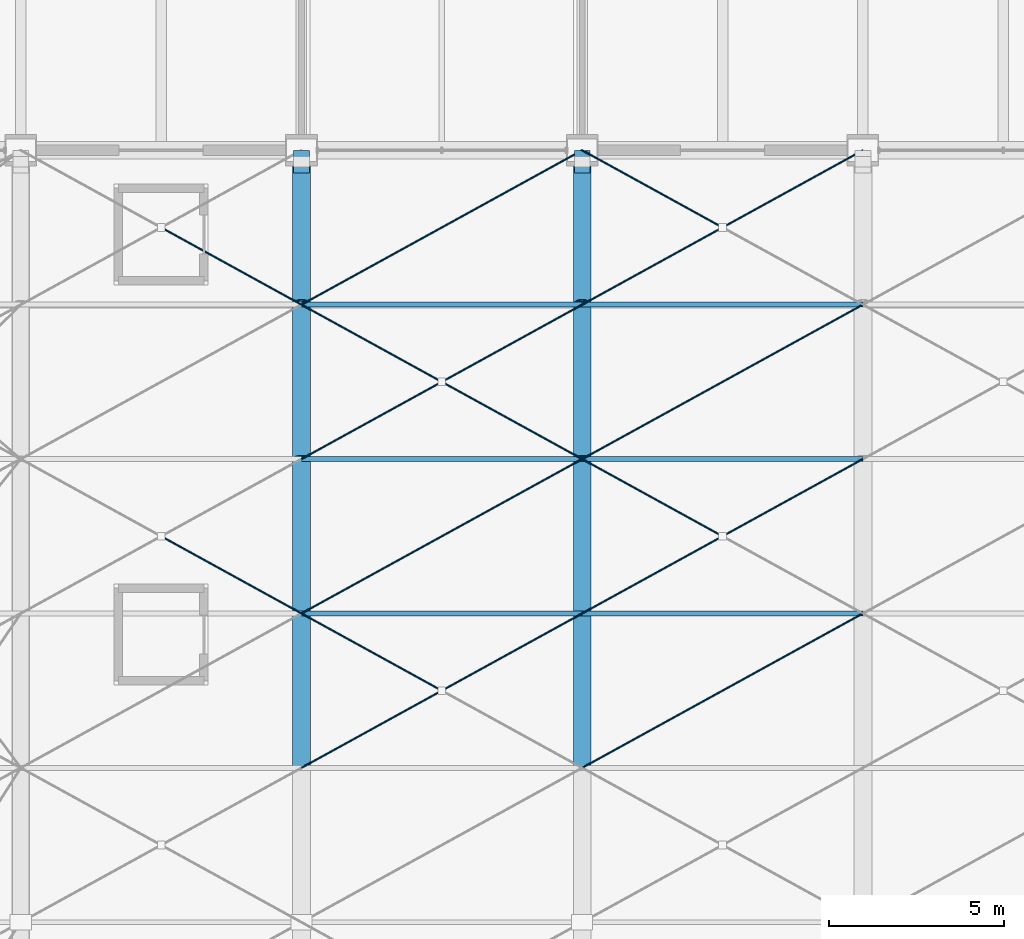
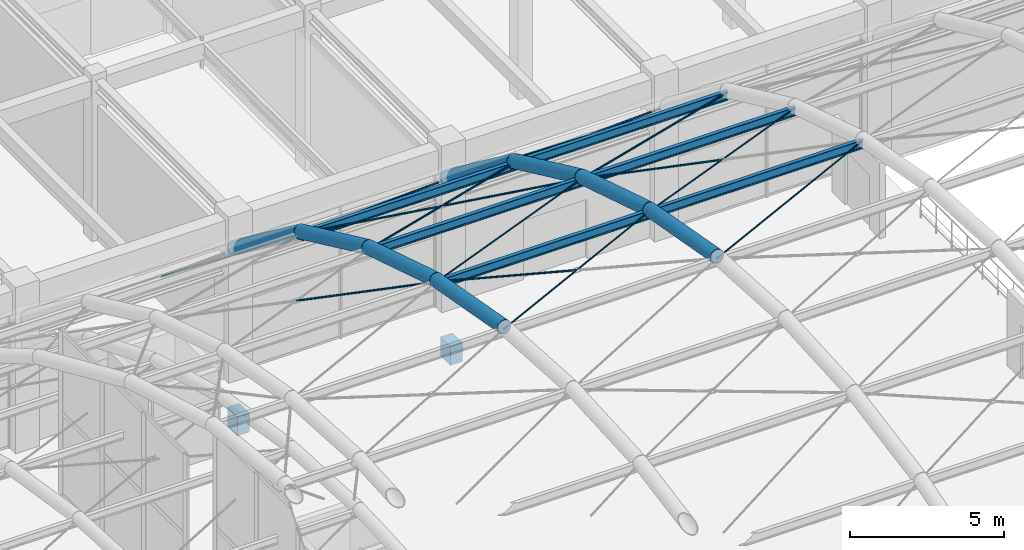
# One storey, part 78 of 163: 16 beams, 15 members.
"""IFC4 building model written with IfcOpenShell, lengths in metres."""

from ifc_helpers import new_model, si_unit, direction, frame, origin, origin_2d, place, context, subcontext, project, spatial, rectangle, circle, hollow_circle, i_section, extrude, material, material_profile, profile_set, type_object, element, save


model = new_model("IFC4")

# Units and contexts
model_context = context("Model", 3, precision=1e-05, world=origin(), true_north=direction((0.0, 1.0)))
body_context = subcontext(model_context, "Body", "Model", "MODEL_VIEW")
ifc_project = project(units=[si_unit("LENGTHUNIT", "METRE"), si_unit("AREAUNIT", "SQUARE_METRE"), si_unit("VOLUMEUNIT", "CUBIC_METRE"), si_unit("PLANEANGLEUNIT", "RADIAN"), si_unit("MASSUNIT", "GRAM", prefix="KILO")], contexts=[model_context])

# Site, building, storey
site_placement = place(None, origin())
site = spatial("IfcSite", under=ifc_project, at=site_placement, CompositionType="ELEMENT")
building_placement = place(site_placement, origin())
building = spatial("IfcBuilding", under=site, at=building_placement, Name="Varnabhumi Central Station", CompositionType="ELEMENT")
storey_placement = place(building_placement, frame((0.0, 0.0, 9.60009765625)))
storey = spatial("IfcBuildingStorey", under=building, at=storey_placement, Name="L02", CompositionType="ELEMENT", Elevation=9.60009765625)

# Beams
ifc_material_1 = material(Name="Structural steel E350", Category="steel")
ifc_material_profile_1 = material_profile(ifc_material_1, hollow_circle(Radius=0.25390625, WallThickness=0.02001953125, at=origin_2d()), Name="Structural steel E350", Category="steel")
ifc_profile_set_1 = profile_set([ifc_material_profile_1], Name="Structural steel E350")
beam_type_1 = type_object("IfcBeamType", Name="BM-ARCH-CHS508", PredefinedType="BEAM", material=ifc_profile_set_1)
beam_1_placement = place(storey_placement, frame((88.0, 62.39990234375, 12.486572265625), z_axis=(0.0, 0.983888247404, -0.17878455364), x_axis=(-1.0, 0.0, 0.0)))
element("IfcBeam", 1, at=beam_1_placement, inside=storey, type_object=beam_type_1, Name="Departure Concourse Vault Arch Rib 3 Seg 7", PredefinedType="BEAM", context=body_context, shape_type="SweptSolid", body=[
    extrude(hollow_circle(Radius=0.25390625, WallThickness=0.02001953125, at=origin_2d()), origin(), (0.0, 0.0, 1.0), 4.47216796875),
])
beam_2_placement = place(storey_placement, frame((88.0, 66.800048828125, 11.68701171875), z_axis=(0.0, 0.954719095828, -0.29750873611), x_axis=(-1.0, 0.0, 0.0)))
element("IfcBeam", 2, at=beam_2_placement, inside=storey, type_object=beam_type_1, Name="Departure Concourse Vault Arch Rib 3 Seg 8", PredefinedType="BEAM", context=body_context, shape_type="SweptSolid", body=[
    extrude(hollow_circle(Radius=0.25390625, WallThickness=0.02001953125, at=origin_2d()), origin(), (0.0, 0.0, 1.0), 4.608642578125),
])
beam_3_placement = place(storey_placement, frame((88.0, 71.199951171875, 10.31591796875), z_axis=(0.0, 0.906832494276, -0.421491194837), x_axis=(-1.0, 0.0, 0.0)))
element("IfcBeam", 3, at=beam_3_placement, inside=storey, type_object=beam_type_1, Name="Departure Concourse Vault Arch Rib 3 Seg 9", PredefinedType="BEAM", context=body_context, shape_type="SweptSolid", body=[
    extrude(hollow_circle(Radius=0.25390625, WallThickness=0.02001953125, at=origin_2d()), origin(), (0.0, 0.0, 1.0), 4.852294921875),
])
beam_4_placement = place(storey_placement, frame((88.0, 75.60009765625, 8.270751953125), z_axis=(0.0, 0.798178703242, -0.602420748058), x_axis=(-1.0, 0.0, 0.0)))
element("IfcBeam", 4, at=beam_4_placement, inside=storey, type_object=beam_type_1, Name="Departure Concourse Vault Arch Rib 3 Seg 10", PredefinedType="BEAM", context=body_context, shape_type="SweptSolid", body=[
    extrude(hollow_circle(Radius=0.25390625, WallThickness=0.02001953125, at=origin_2d()), origin(), (0.0, 0.0, 1.0), 5.512451171875),
])
beam_5_placement = place(storey_placement, frame((96.0, 62.39990234375, 12.486572265625), z_axis=(0.0, 0.983888247404, -0.17878455364), x_axis=(-1.0, 0.0, 0.0)))
element("IfcBeam", 5, at=beam_5_placement, inside=storey, type_object=beam_type_1, Name="Departure Concourse Vault Arch Rib 4 Seg 7", PredefinedType="BEAM", context=body_context, shape_type="SweptSolid", body=[
    extrude(hollow_circle(Radius=0.25390625, WallThickness=0.02001953125, at=origin_2d()), origin(), (0.0, 0.0, 1.0), 4.47216796875),
])
beam_6_placement = place(storey_placement, frame((96.0, 66.800048828125, 11.68701171875), z_axis=(0.0, 0.954719095828, -0.29750873611), x_axis=(-1.0, 0.0, 0.0)))
element("IfcBeam", 6, at=beam_6_placement, inside=storey, type_object=beam_type_1, Name="Departure Concourse Vault Arch Rib 4 Seg 8", PredefinedType="BEAM", context=body_context, shape_type="SweptSolid", body=[
    extrude(hollow_circle(Radius=0.25390625, WallThickness=0.02001953125, at=origin_2d()), origin(), (0.0, 0.0, 1.0), 4.608642578125),
])
beam_7_placement = place(storey_placement, frame((96.0, 71.199951171875, 10.31591796875), z_axis=(0.0, 0.906832494276, -0.421491194837), x_axis=(-1.0, 0.0, 0.0)))
element("IfcBeam", 7, at=beam_7_placement, inside=storey, type_object=beam_type_1, Name="Departure Concourse Vault Arch Rib 4 Seg 9", PredefinedType="BEAM", context=body_context, shape_type="SweptSolid", body=[
    extrude(hollow_circle(Radius=0.25390625, WallThickness=0.02001953125, at=origin_2d()), origin(), (0.0, 0.0, 1.0), 4.852294921875),
])
beam_8_placement = place(storey_placement, frame((96.0, 75.60009765625, 8.270751953125), z_axis=(0.0, 0.798178703242, -0.602420748058), x_axis=(-1.0, 0.0, 0.0)))
element("IfcBeam", 8, at=beam_8_placement, inside=storey, type_object=beam_type_1, Name="Departure Concourse Vault Arch Rib 4 Seg 10", PredefinedType="BEAM", context=body_context, shape_type="SweptSolid", body=[
    extrude(hollow_circle(Radius=0.25390625, WallThickness=0.02001953125, at=origin_2d()), origin(), (0.0, 0.0, 1.0), 5.512451171875),
])
ifc_material_profile_2 = material_profile(ifc_material_1, i_section(OverallWidth=0.139892578125, OverallDepth=0.35009765625, WebThickness=0.008056640625, FlangeThickness=0.01416015625, FilletRadius=0.013916015625, at=origin_2d()), Name="Structural steel E350", Category="steel")
ifc_profile_set_2 = profile_set([ifc_material_profile_2], Name="Structural steel E350")
beam_type_2 = type_object("IfcBeamType", Name="BM-PUR-ISMB350", PredefinedType="LINTEL", material=ifc_profile_set_2)
for number, where, z_axis, x_axis, name in (
    (9, (88.0, 66.800048828125, 11.511962890625), (1.0, 0.0, 0.0), (0.0, 1.0, 0.0), "Departure Concourse Vault Purlin B3-L7"),
    (10, (88.0, 71.199951171875, 10.140869140625), (1.0, 0.0, 0.0), (0.0, 1.0, 0.0), "Departure Concourse Vault Purlin B3-L8"),
    (11, (88.0, 75.60009765625, 8.095703125), (1.0, 0.0, 0.0), (0.0, 1.0, 0.0), "Departure Concourse Vault Purlin B3-L9"),
    (12, (96.0, 66.800048828125, 11.511962890625), (1.0, 0.0, 0.0), (0.0, 1.0, 0.0), "Departure Concourse Vault Purlin B4-L7"),
    (13, (96.0, 71.199951171875, 10.140869140625), (1.0, 0.0, 0.0), (0.0, 1.0, 0.0), "Departure Concourse Vault Purlin B4-L8"),
    (14, (96.0, 75.60009765625, 8.095703125), (1.0, 0.0, 0.0), (0.0, 1.0, 0.0), "Departure Concourse Vault Purlin B4-L9"),
):
    element("IfcBeam", number, at=place(storey_placement, frame(where, z_axis=z_axis, x_axis=x_axis)), inside=storey, type_object=beam_type_2, Name=name, PredefinedType="LINTEL", context=body_context, shape_type="SweptSolid", body=[
        extrude(i_section(OverallWidth=0.139892578125, OverallDepth=0.35009765625, WebThickness=0.008056640625, FlangeThickness=0.01416015625, FilletRadius=0.013916015625, at=origin_2d()), origin(), (0.0, 0.0, 1.0), 8.0),
    ])
ifc_material_2 = material(Name="Concrete M40", Category="concrete")
ifc_material_profile_3 = material_profile(ifc_material_2, rectangle(XDim=0.449951171875, YDim=0.75, at=origin_2d()), Name="Concrete M40", Category="concrete")
ifc_profile_set_3 = profile_set([ifc_material_profile_3], Name="Concrete M40")
beam_type_3 = type_object("IfcBeamType", Name="BM-RC-450x750", PredefinedType="BEAM", material=ifc_profile_set_3)
for number, where, z_axis, x_axis, name in (
    (15, (88.0, 80.0, -1.675048828125), (0.0, -1.0, 0.0), (1.0, 0.0, 0.0), "Concourse Bridge 650mm Corbel Seat 88-N"),
    (16, (96.0, 80.0, -1.675048828125), (0.0, -1.0, 0.0), (1.0, 0.0, 0.0), "Concourse Bridge 650mm Corbel Seat 96-N"),
):
    element("IfcBeam", number, at=place(storey_placement, frame(where, z_axis=z_axis, x_axis=x_axis)), inside=storey, type_object=beam_type_3, Name=name, PredefinedType="BEAM", context=body_context, shape_type="SweptSolid", body=[
        extrude(rectangle(XDim=0.449951171875, YDim=0.75, at=origin_2d()), origin(), (0.0, 0.0, 1.0), 0.64990234375),
    ])

# Members
ifc_material_3 = material(Name="Spiral-strand steel S1570", Category="steel")
ifc_material_profile_4 = material_profile(ifc_material_3, circle(Radius=0.027099609375, at=origin_2d()), Name="Spiral-strand steel S1570", Category="steel")
ifc_profile_set_4 = profile_set([ifc_material_profile_4], Name="Spiral-strand steel S1570")
member_type = type_object("IfcMemberType", Name="MBR-CABLE-D54", PredefinedType="USERDEFINED", material=ifc_profile_set_4)
member_1_placement = place(storey_placement, frame((84.0, 69.0, 10.92138671875), z_axis=(0.866504286303, -0.476566780022, 0.148507326412), x_axis=(0.481910537812, 0.876220425204, 0.0)))
element("IfcMember", 17, at=member_1_placement, inside=storey, type_object=member_type, Name="Departure Concourse Vault Cable-Net Split Tie B2-P8B2", ObjectType="TENSION CABLE", PredefinedType="USERDEFINED", context=body_context, shape_type="SweptSolid", body=[
    extrude(circle(Radius=0.027099609375, at=origin_2d()), origin(), (0.0, 0.0, 1.0), 4.6162109375),
])
member_2_placement = place(storey_placement, frame((84.0, 77.800048828125, 6.5302734375), z_axis=(0.823430141181, -0.452876526012, 0.341856190205), x_axis=(0.481910537812, 0.876220425204, 0.0)))
element("IfcMember", 18, at=member_2_placement, inside=storey, type_object=member_type, Name="Departure Concourse Vault Cable-Net Split Tie B2-P10B2", ObjectType="TENSION CABLE", PredefinedType="USERDEFINED", context=body_context, shape_type="SweptSolid", body=[
    extrude(circle(Radius=0.027099609375, at=origin_2d()), origin(), (0.0, 0.0, 1.0), 4.857666015625),
])
member_3_placement = place(storey_placement, frame((88.0, 62.39990234375, 12.406494140625), z_axis=(0.872868515511, 0.480093666231, -0.087238903451), x_axis=(-0.481931067474, 0.876209133828, 0.0)))
element("IfcMember", 19, at=member_3_placement, inside=storey, type_object=member_type, Name="Departure Concourse Vault Cable-Net Tie B3-P7A", ObjectType="TENSION CABLE", PredefinedType="USERDEFINED", context=body_context, shape_type="SweptSolid", body=[
    extrude(circle(Radius=0.027099609375, at=origin_2d()), origin(), (0.0, 0.0, 1.0), 9.165283203125),
])
member_4_placement = place(storey_placement, frame((88.0, 66.800048828125, 11.60693359375), z_axis=(0.872877649429, -0.480072051941, 0.087266454453), x_axis=(0.481910537812, 0.876220425204, 0.0)))
element("IfcMember", 20, at=member_4_placement, inside=storey, type_object=member_type, Name="Departure Concourse Vault Cable-Net Split Tie B3-P7B1", ObjectType="TENSION CABLE", PredefinedType="USERDEFINED", context=body_context, shape_type="SweptSolid", body=[
    extrude(circle(Radius=0.027099609375, at=origin_2d()), origin(), (0.0, 0.0, 1.0), 4.58251953125),
])
member_5_placement = place(storey_placement, frame((88.0, 66.800048828125, 11.60693359375), z_axis=(0.866504286303, 0.476566780022, -0.148507326412), x_axis=(-0.481910537812, 0.876220425204, 0.0)))
element("IfcMember", 21, at=member_5_placement, inside=storey, type_object=member_type, Name="Departure Concourse Vault Cable-Net Tie B3-P8A", ObjectType="TENSION CABLE", PredefinedType="USERDEFINED", context=body_context, shape_type="SweptSolid", body=[
    extrude(circle(Radius=0.027099609375, at=origin_2d()), origin(), (0.0, 0.0, 1.0), 9.232421875),
])
member_6_placement = place(storey_placement, frame((88.0, 71.199951171875, 10.23583984375), z_axis=(0.855025934416, 0.470279919921, -0.218557654623), x_axis=(-0.481931067474, 0.876209133828, 0.0)))
element("IfcMember", 22, at=member_6_placement, inside=storey, type_object=member_type, Name="Departure Concourse Vault Cable-Net Tie B3-P9A", ObjectType="TENSION CABLE", PredefinedType="USERDEFINED", context=body_context, shape_type="SweptSolid", body=[
    extrude(circle(Radius=0.027099609375, at=origin_2d()), origin(), (0.0, 0.0, 1.0), 9.3564453125),
])
for number, where, z_axis, x_axis, name in (
    (23, (88.0, 75.60009765625, 8.19091796875), (0.855015442154, -0.470300241986, 0.218554972641), (0.481951596342, 0.876197842262, 0.0), "Departure Concourse Vault Cable-Net Split Tie B3-P9B1"),
    (24, (92.0, 73.39990234375, 9.21337890625), (0.855036426483, -0.470259597109, 0.218560336554), (0.481910537812, 0.876220425204, 0.0), "Departure Concourse Vault Cable-Net Split Tie B3-P9B2"),
):
    element("IfcMember", number, at=place(storey_placement, frame(where, z_axis=z_axis, x_axis=x_axis)), inside=storey, type_object=member_type, Name=name, ObjectType="TENSION CABLE", PredefinedType="USERDEFINED", context=body_context, shape_type="SweptSolid", body=[
        extrude(circle(Radius=0.027099609375, at=origin_2d()), origin(), (0.0, 0.0, 1.0), 4.67822265625),
    ])
member_7_placement = place(storey_placement, frame((88.0, 75.60009765625, 8.19091796875), z_axis=(0.823437214719, 0.452880416372, -0.341833997553), x_axis=(-0.481910537812, 0.876220425204, 0.0)))
element("IfcMember", 25, at=member_7_placement, inside=storey, type_object=member_type, Name="Departure Concourse Vault Cable-Net Tie B3-P10A", ObjectType="TENSION CABLE", PredefinedType="USERDEFINED", context=body_context, shape_type="SweptSolid", body=[
    extrude(circle(Radius=0.027099609375, at=origin_2d()), origin(), (0.0, 0.0, 1.0), 9.71533203125),
])
member_8_placement = place(storey_placement, frame((96.0, 62.39990234375, 12.406494140625), z_axis=(0.872868515511, 0.480093666231, -0.087238903451), x_axis=(-0.481931067474, 0.876209133828, 0.0)))
element("IfcMember", 26, at=member_8_placement, inside=storey, type_object=member_type, Name="Departure Concourse Vault Cable-Net Tie B4-P7A", ObjectType="TENSION CABLE", PredefinedType="USERDEFINED", context=body_context, shape_type="SweptSolid", body=[
    extrude(circle(Radius=0.027099609375, at=origin_2d()), origin(), (0.0, 0.0, 1.0), 9.165283203125),
])
member_9_placement = place(storey_placement, frame((96.0, 66.800048828125, 11.60693359375), z_axis=(0.866504286303, 0.476566780022, -0.148507326412), x_axis=(-0.481910537812, 0.876220425204, 0.0)))
element("IfcMember", 27, at=member_9_placement, inside=storey, type_object=member_type, Name="Departure Concourse Vault Cable-Net Tie B4-P8A", ObjectType="TENSION CABLE", PredefinedType="USERDEFINED", context=body_context, shape_type="SweptSolid", body=[
    extrude(circle(Radius=0.027099609375, at=origin_2d()), origin(), (0.0, 0.0, 1.0), 9.232421875),
])
member_10_placement = place(storey_placement, frame((96.0, 71.199951171875, 10.23583984375), z_axis=(0.866504286303, -0.476566780022, 0.148507326412), x_axis=(0.481910537812, 0.876220425204, 0.0)))
element("IfcMember", 28, at=member_10_placement, inside=storey, type_object=member_type, Name="Departure Concourse Vault Cable-Net Split Tie B4-P8B1", ObjectType="TENSION CABLE", PredefinedType="USERDEFINED", context=body_context, shape_type="SweptSolid", body=[
    extrude(circle(Radius=0.027099609375, at=origin_2d()), origin(), (0.0, 0.0, 1.0), 4.6162109375),
])
member_11_placement = place(storey_placement, frame((96.0, 71.199951171875, 10.23583984375), z_axis=(0.855025934416, 0.470279919921, -0.218557654623), x_axis=(-0.481931067474, 0.876209133828, 0.0)))
element("IfcMember", 29, at=member_11_placement, inside=storey, type_object=member_type, Name="Departure Concourse Vault Cable-Net Tie B4-P9A", ObjectType="TENSION CABLE", PredefinedType="USERDEFINED", context=body_context, shape_type="SweptSolid", body=[
    extrude(circle(Radius=0.027099609375, at=origin_2d()), origin(), (0.0, 0.0, 1.0), 9.3564453125),
])
member_12_placement = place(storey_placement, frame((96.0, 75.60009765625, 8.19091796875), z_axis=(0.823437214719, 0.452880416372, -0.341833997553), x_axis=(-0.481910537812, 0.876220425204, 0.0)))
element("IfcMember", 30, at=member_12_placement, inside=storey, type_object=member_type, Name="Departure Concourse Vault Cable-Net Tie B4-P10A", ObjectType="TENSION CABLE", PredefinedType="USERDEFINED", context=body_context, shape_type="SweptSolid", body=[
    extrude(circle(Radius=0.027099609375, at=origin_2d()), origin(), (0.0, 0.0, 1.0), 9.71533203125),
])
member_13_placement = place(storey_placement, frame((96.0, 80.0, 4.869873046875), z_axis=(0.823444287919, -0.452884306545, 0.34181180433), x_axis=(0.481910537812, 0.876220425204, 0.0)))
element("IfcMember", 31, at=member_13_placement, inside=storey, type_object=member_type, Name="Departure Concourse Vault Cable-Net Split Tie B4-P10B1", ObjectType="TENSION CABLE", PredefinedType="USERDEFINED", context=body_context, shape_type="SweptSolid", body=[
    extrude(circle(Radius=0.027099609375, at=origin_2d()), origin(), (0.0, 0.0, 1.0), 4.857666015625),
])

save(model, "model.ifc")
